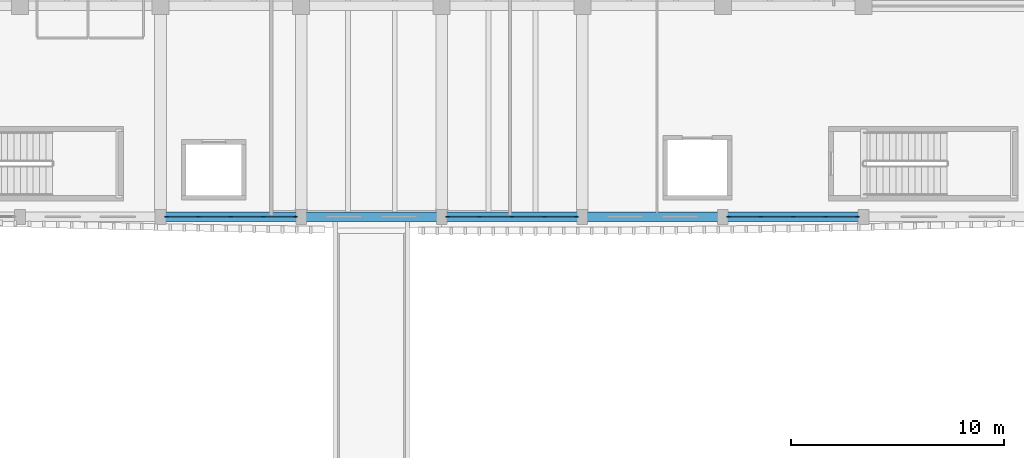
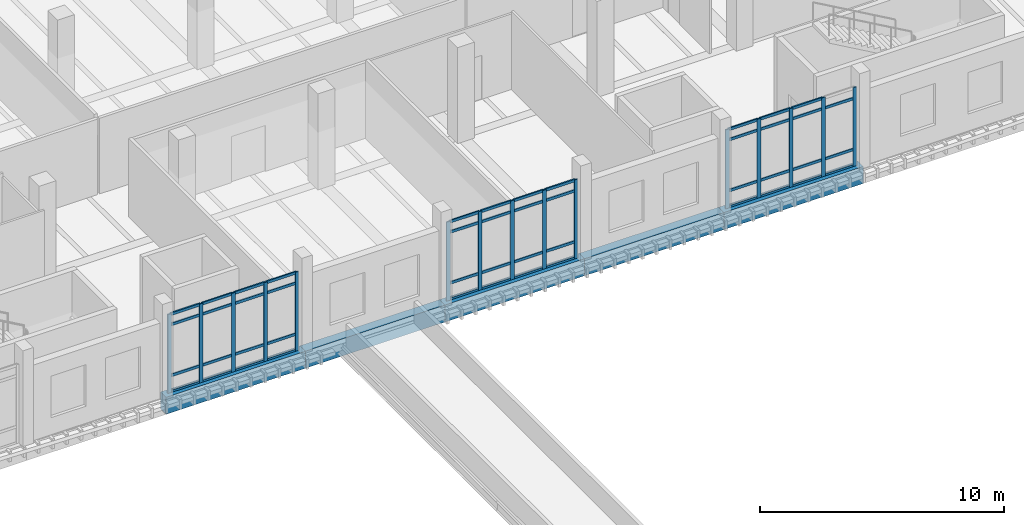
# One storey, part 41 of 101: 62 members, 5 beams, 3 elements without a shape of their own.
"""IFC4 building model written with IfcOpenShell, lengths in metres."""

from ifc_helpers import new_model, si_unit, direction, frame, origin, origin_2d, place, context, subcontext, project, spatial, rectangle, extrude, material, material_profile, profile_set, type_object, element, aggregate, save


model = new_model("IFC4")

# Units and contexts
model_context = context("Model", 3, precision=1e-05, world=origin(), true_north=direction((0.0, 1.0)))
body_context = subcontext(model_context, "Body", "Model", "MODEL_VIEW")
ifc_project = project(units=[si_unit("LENGTHUNIT", "METRE"), si_unit("AREAUNIT", "SQUARE_METRE"), si_unit("VOLUMEUNIT", "CUBIC_METRE"), si_unit("PLANEANGLEUNIT", "RADIAN"), si_unit("MASSUNIT", "GRAM", prefix="KILO")], contexts=[model_context])

# Site, building, storey
site_placement = place(None, origin())
site = spatial("IfcSite", under=ifc_project, at=site_placement, CompositionType="ELEMENT")
building_placement = place(site_placement, origin())
building = spatial("IfcBuilding", under=site, at=building_placement, Name="Dornvale Research Institute", CompositionType="ELEMENT")
storey_placement = place(building_placement, frame((0.0, 0.0, 10.199951171875)))
storey = spatial("IfcBuildingStorey", under=building, at=storey_placement, Name="L02", CompositionType="ELEMENT", Elevation=10.199951171875)

# Curtain wall, members
ifc_material_1 = material(Name="Low-E Argon Double Insulating Glazing Unit", Category="glass")
curtain_wall_type = type_object("IfcCurtainWallType", Name="UnitisedCurtainWall_V4_6100x3950", PredefinedType="USERDEFINED", material=ifc_material_1)
curtain_wall_1_placement = place(storey_placement, origin())
curtain_wall_1 = element("IfcCurtainWall", 1, at=curtain_wall_1_placement, inside=storey, type_object=curtain_wall_type, Name="L02 V4 unitised curtain wall CW-11 #87", ObjectType="UNITISED CURTAIN WALL", PredefinedType="USERDEFINED")
ifc_material_2 = material(Name="Anodized Aluminum AA 6063-T6 Thermally Broken Frame", Category="aluminium")
ifc_material_profile_1 = material_profile(ifc_material_2, rectangle(XDim=0.06494140625, YDim=0.179931640625, at=origin_2d()), Name="ALU MULLION 65x180")
ifc_profile_set_1 = profile_set([ifc_material_profile_1], Name="Anodized Aluminum AA 6063-T6 Thermally Broken Frame")
member_type_1 = type_object("IfcMemberType", Name="Mullion_CW_65x180", PredefinedType="MULLION", material=ifc_profile_set_1)
member_1_placement = place(storey_placement, frame((164.717529296875, 92.39990234375, 0.0), z_axis=(0.0, 0.0, 1.0), x_axis=(0.0, -1.0, 0.0)))
member_1 = element("IfcMember", 2, at=member_1_placement, type_object=member_type_1, Name="CW-11 mullion 1", PredefinedType="MULLION", context=body_context, shape_type="SweptSolid", body=[
    extrude(rectangle(XDim=0.06494140625, YDim=0.179931640625, at=origin_2d()), origin(), (0.0, 0.0, 1.0), 3.949951171875),
])
member_2_placement = place(storey_placement, frame((163.22509765625, 92.39990234375, 0.0), z_axis=(0.0, 0.0, 1.0), x_axis=(0.0, -1.0, 0.0)))
member_2 = element("IfcMember", 3, at=member_2_placement, type_object=member_type_1, Name="CW-11 mullion 2", PredefinedType="MULLION", context=body_context, shape_type="SweptSolid", body=[
    extrude(rectangle(XDim=0.06494140625, YDim=0.179931640625, at=origin_2d()), origin(), (0.0, 0.0, 1.0), 3.949951171875),
])
member_3_placement = place(storey_placement, frame((161.699951171875, 92.39990234375, 0.0), z_axis=(0.0, 0.0, 1.0), x_axis=(0.0, -1.0, 0.0)))
member_3 = element("IfcMember", 4, at=member_3_placement, type_object=member_type_1, Name="CW-11 mullion 3", PredefinedType="MULLION", context=body_context, shape_type="SweptSolid", body=[
    extrude(rectangle(XDim=0.06494140625, YDim=0.179931640625, at=origin_2d()), origin(), (0.0, 0.0, 1.0), 3.949951171875),
])
member_4_placement = place(storey_placement, frame((160.175048828125, 92.39990234375, 0.0), z_axis=(0.0, 0.0, 1.0), x_axis=(0.0, -1.0, 0.0)))
member_4 = element("IfcMember", 5, at=member_4_placement, type_object=member_type_1, Name="CW-11 mullion 4", PredefinedType="MULLION", context=body_context, shape_type="SweptSolid", body=[
    extrude(rectangle(XDim=0.06494140625, YDim=0.179931640625, at=origin_2d()), origin(), (0.0, 0.0, 1.0), 3.949951171875),
])
member_5_placement = place(storey_placement, frame((158.6826171875, 92.39990234375, 0.0), z_axis=(0.0, 0.0, 1.0), x_axis=(0.0, -1.0, 0.0)))
member_5 = element("IfcMember", 6, at=member_5_placement, type_object=member_type_1, Name="CW-11 mullion 5", PredefinedType="MULLION", context=body_context, shape_type="SweptSolid", body=[
    extrude(rectangle(XDim=0.06494140625, YDim=0.179931640625, at=origin_2d()), origin(), (0.0, 0.0, 1.0), 3.949951171875),
])

curtain_wall_2_placement = place(storey_placement, origin())
curtain_wall_2 = element("IfcCurtainWall", 7, at=curtain_wall_2_placement, inside=storey, type_object=curtain_wall_type, Name="L02 V4 unitised curtain wall CW-11 #88", ObjectType="UNITISED CURTAIN WALL", PredefinedType="USERDEFINED")
member_6_placement = place(storey_placement, frame((151.517578125, 92.39990234375, 0.0), z_axis=(0.0, 0.0, 1.0), x_axis=(0.0, -1.0, 0.0)))
member_6 = element("IfcMember", 8, at=member_6_placement, type_object=member_type_1, Name="CW-11 mullion 1", PredefinedType="MULLION", context=body_context, shape_type="SweptSolid", body=[
    extrude(rectangle(XDim=0.06494140625, YDim=0.179931640625, at=origin_2d()), origin(), (0.0, 0.0, 1.0), 3.949951171875),
])
member_7_placement = place(storey_placement, frame((150.02490234375, 92.39990234375, 0.0), z_axis=(0.0, 0.0, 1.0), x_axis=(0.0, -1.0, 0.0)))
member_7 = element("IfcMember", 9, at=member_7_placement, type_object=member_type_1, Name="CW-11 mullion 2", PredefinedType="MULLION", context=body_context, shape_type="SweptSolid", body=[
    extrude(rectangle(XDim=0.06494140625, YDim=0.179931640625, at=origin_2d()), origin(), (0.0, 0.0, 1.0), 3.949951171875),
])
member_8_placement = place(storey_placement, frame((148.5, 92.39990234375, 0.0), z_axis=(0.0, 0.0, 1.0), x_axis=(0.0, -1.0, 0.0)))
member_8 = element("IfcMember", 10, at=member_8_placement, type_object=member_type_1, Name="CW-11 mullion 3", PredefinedType="MULLION", context=body_context, shape_type="SweptSolid", body=[
    extrude(rectangle(XDim=0.06494140625, YDim=0.179931640625, at=origin_2d()), origin(), (0.0, 0.0, 1.0), 3.949951171875),
])
member_9_placement = place(storey_placement, frame((146.97509765625, 92.39990234375, 0.0), z_axis=(0.0, 0.0, 1.0), x_axis=(0.0, -1.0, 0.0)))
member_9 = element("IfcMember", 11, at=member_9_placement, type_object=member_type_1, Name="CW-11 mullion 4", PredefinedType="MULLION", context=body_context, shape_type="SweptSolid", body=[
    extrude(rectangle(XDim=0.06494140625, YDim=0.179931640625, at=origin_2d()), origin(), (0.0, 0.0, 1.0), 3.949951171875),
])
member_10_placement = place(storey_placement, frame((145.482421875, 92.39990234375, 0.0), z_axis=(0.0, 0.0, 1.0), x_axis=(0.0, -1.0, 0.0)))
member_10 = element("IfcMember", 12, at=member_10_placement, type_object=member_type_1, Name="CW-11 mullion 5", PredefinedType="MULLION", context=body_context, shape_type="SweptSolid", body=[
    extrude(rectangle(XDim=0.06494140625, YDim=0.179931640625, at=origin_2d()), origin(), (0.0, 0.0, 1.0), 3.949951171875),
])

curtain_wall_3_placement = place(storey_placement, origin())
curtain_wall_3 = element("IfcCurtainWall", 13, at=curtain_wall_3_placement, inside=storey, type_object=curtain_wall_type, Name="L02 V4 unitised curtain wall CW-11 #89", ObjectType="UNITISED CURTAIN WALL", PredefinedType="USERDEFINED")
member_11_placement = place(storey_placement, frame((138.3173828125, 92.39990234375, 0.0), z_axis=(0.0, 0.0, 1.0), x_axis=(0.0, -1.0, 0.0)))
member_11 = element("IfcMember", 14, at=member_11_placement, type_object=member_type_1, Name="CW-11 mullion 1", PredefinedType="MULLION", context=body_context, shape_type="SweptSolid", body=[
    extrude(rectangle(XDim=0.06494140625, YDim=0.179931640625, at=origin_2d()), origin(), (0.0, 0.0, 1.0), 3.949951171875),
])
member_12_placement = place(storey_placement, frame((136.824951171875, 92.39990234375, 0.0), z_axis=(0.0, 0.0, 1.0), x_axis=(0.0, -1.0, 0.0)))
member_12 = element("IfcMember", 15, at=member_12_placement, type_object=member_type_1, Name="CW-11 mullion 2", PredefinedType="MULLION", context=body_context, shape_type="SweptSolid", body=[
    extrude(rectangle(XDim=0.06494140625, YDim=0.179931640625, at=origin_2d()), origin(), (0.0, 0.0, 1.0), 3.949951171875),
])
member_13_placement = place(storey_placement, frame((135.300048828125, 92.39990234375, 0.0), z_axis=(0.0, 0.0, 1.0), x_axis=(0.0, -1.0, 0.0)))
member_13 = element("IfcMember", 16, at=member_13_placement, type_object=member_type_1, Name="CW-11 mullion 3", PredefinedType="MULLION", context=body_context, shape_type="SweptSolid", body=[
    extrude(rectangle(XDim=0.06494140625, YDim=0.179931640625, at=origin_2d()), origin(), (0.0, 0.0, 1.0), 3.949951171875),
])
member_14_placement = place(storey_placement, frame((133.77490234375, 92.39990234375, 0.0), z_axis=(0.0, 0.0, 1.0), x_axis=(0.0, -1.0, 0.0)))
member_14 = element("IfcMember", 17, at=member_14_placement, type_object=member_type_1, Name="CW-11 mullion 4", PredefinedType="MULLION", context=body_context, shape_type="SweptSolid", body=[
    extrude(rectangle(XDim=0.06494140625, YDim=0.179931640625, at=origin_2d()), origin(), (0.0, 0.0, 1.0), 3.949951171875),
])
member_15_placement = place(storey_placement, frame((132.282470703125, 92.39990234375, 0.0), z_axis=(0.0, 0.0, 1.0), x_axis=(0.0, -1.0, 0.0)))
member_15 = element("IfcMember", 18, at=member_15_placement, type_object=member_type_1, Name="CW-11 mullion 5", PredefinedType="MULLION", context=body_context, shape_type="SweptSolid", body=[
    extrude(rectangle(XDim=0.06494140625, YDim=0.179931640625, at=origin_2d()), origin(), (0.0, 0.0, 1.0), 3.949951171875),
])

# Beams
ifc_material_3 = material(Name="Concrete f'c 45 MPa (C35/45)", Category="concrete")
ifc_material_profile_2 = material_profile(ifc_material_3, rectangle(XDim=0.449951171875, YDim=0.85009765625, at=origin_2d()), Name="RC 450x850")
ifc_profile_set_2 = profile_set([ifc_material_profile_2], Name="Concrete f'c 45 MPa (C35/45)")
beam_type = type_object("IfcBeamType", Name="Spandrel_RC450x850_Ext", PredefinedType="SPANDREL", material=ifc_profile_set_2)
beam_1_placement = place(storey_placement, frame((132.0, 92.39990234375, -0.425048828125), z_axis=(1.0, 0.0, 0.0), x_axis=(0.0, 1.0, 0.0)))
element("IfcBeam", 19, at=beam_1_placement, inside=storey, type_object=beam_type, Name="L02 perimeter spandrel #637", PredefinedType="SPANDREL", context=body_context, shape_type="SweptSolid", body=[
    extrude(rectangle(XDim=0.449951171875, YDim=0.85009765625, at=origin_2d()), origin(), (0.0, 0.0, 1.0), 6.60009765625),
])
beam_2_placement = place(storey_placement, frame((138.60009765625, 92.39990234375, -0.425048828125), z_axis=(1.0, 0.0, 0.0), x_axis=(0.0, 1.0, 0.0)))
element("IfcBeam", 20, at=beam_2_placement, inside=storey, type_object=beam_type, Name="L02 perimeter spandrel #638", PredefinedType="SPANDREL", context=body_context, shape_type="SweptSolid", body=[
    extrude(rectangle(XDim=0.449951171875, YDim=0.85009765625, at=origin_2d()), origin(), (0.0, 0.0, 1.0), 6.599853515625),
])
beam_3_placement = place(storey_placement, frame((145.199951171875, 92.39990234375, -0.425048828125), z_axis=(1.0, 0.0, 0.0), x_axis=(0.0, 1.0, 0.0)))
element("IfcBeam", 21, at=beam_3_placement, inside=storey, type_object=beam_type, Name="L02 perimeter spandrel #639", PredefinedType="SPANDREL", context=body_context, shape_type="SweptSolid", body=[
    extrude(rectangle(XDim=0.449951171875, YDim=0.85009765625, at=origin_2d()), origin(), (0.0, 0.0, 1.0), 6.60009765625),
])
beam_4_placement = place(storey_placement, frame((151.800048828125, 92.39990234375, -0.425048828125), z_axis=(1.0, 0.0, 0.0), x_axis=(0.0, 1.0, 0.0)))
element("IfcBeam", 22, at=beam_4_placement, inside=storey, type_object=beam_type, Name="L02 perimeter spandrel #640", PredefinedType="SPANDREL", context=body_context, shape_type="SweptSolid", body=[
    extrude(rectangle(XDim=0.449951171875, YDim=0.85009765625, at=origin_2d()), origin(), (0.0, 0.0, 1.0), 6.599853515625),
])
beam_5_placement = place(storey_placement, frame((158.39990234375, 92.39990234375, -0.425048828125), z_axis=(1.0, 0.0, 0.0), x_axis=(0.0, 1.0, 0.0)))
element("IfcBeam", 23, at=beam_5_placement, inside=storey, type_object=beam_type, Name="L02 perimeter spandrel #641", PredefinedType="SPANDREL", context=body_context, shape_type="SweptSolid", body=[
    extrude(rectangle(XDim=0.449951171875, YDim=0.85009765625, at=origin_2d()), origin(), (0.0, 0.0, 1.0), 6.60009765625),
])

# Member
ifc_material_4 = material(Name="Anodized Aluminum AA 6063-T6 Thermally Broken Frame", Category="aluminium")
ifc_material_profile_3 = material_profile(ifc_material_4, rectangle(XDim=0.06494140625, YDim=0.135009765625, at=origin_2d()), Name="ALU TRANSOM 65x135")
ifc_profile_set_3 = profile_set([ifc_material_profile_3], Name="Anodized Aluminum AA 6063-T6 Thermally Broken Frame")
member_type_2 = type_object("IfcMemberType", Name="Transom_CW_65x135", PredefinedType="USERDEFINED", material=ifc_profile_set_3)
member_16_placement = place(storey_placement, frame((164.68505859375, 92.39990234375, 0.032470703125), z_axis=(-1.0, 0.0, 0.0), x_axis=(0.0, -1.0, 0.0)))
member_16 = element("IfcMember", 24, at=member_16_placement, type_object=member_type_2, Name="CW-11 transom 1.1", ObjectType="TRANSOM", PredefinedType="USERDEFINED", context=body_context, shape_type="SweptSolid", body=[
    extrude(rectangle(XDim=0.06494140625, YDim=0.135009765625, at=origin_2d()), origin(), (0.0, 0.0, 1.0), 1.427490234375),
])

member_17_placement = place(storey_placement, frame((164.68505859375, 92.39990234375, 0.85009765625), z_axis=(-1.0, 0.0, 0.0), x_axis=(0.0, -1.0, 0.0)))
member_17 = element("IfcMember", 25, at=member_17_placement, type_object=member_type_2, Name="CW-11 transom 1.2", ObjectType="TRANSOM", PredefinedType="USERDEFINED", context=body_context, shape_type="SweptSolid", body=[
    extrude(rectangle(XDim=0.06494140625, YDim=0.135009765625, at=origin_2d()), origin(), (0.0, 0.0, 1.0), 1.427490234375),
])

member_18_placement = place(storey_placement, frame((164.68505859375, 92.39990234375, 3.400146484375), z_axis=(-1.0, 0.0, 0.0), x_axis=(0.0, -1.0, 0.0)))
member_18 = element("IfcMember", 26, at=member_18_placement, type_object=member_type_2, Name="CW-11 transom 1.3", ObjectType="TRANSOM", PredefinedType="USERDEFINED", context=body_context, shape_type="SweptSolid", body=[
    extrude(rectangle(XDim=0.06494140625, YDim=0.135009765625, at=origin_2d()), origin(), (0.0, 0.0, 1.0), 1.427490234375),
])

member_19_placement = place(storey_placement, frame((163.1923828125, 92.39990234375, 0.032470703125), z_axis=(-1.0, 0.0, 0.0), x_axis=(0.0, -1.0, 0.0)))
member_19 = element("IfcMember", 27, at=member_19_placement, type_object=member_type_2, Name="CW-11 transom 2.1", ObjectType="TRANSOM", PredefinedType="USERDEFINED", context=body_context, shape_type="SweptSolid", body=[
    extrude(rectangle(XDim=0.06494140625, YDim=0.135009765625, at=origin_2d()), origin(), (0.0, 0.0, 1.0), 1.4599609375),
])

member_20_placement = place(storey_placement, frame((163.1923828125, 92.39990234375, 0.85009765625), z_axis=(-1.0, 0.0, 0.0), x_axis=(0.0, -1.0, 0.0)))
member_20 = element("IfcMember", 28, at=member_20_placement, type_object=member_type_2, Name="CW-11 transom 2.2", ObjectType="TRANSOM", PredefinedType="USERDEFINED", context=body_context, shape_type="SweptSolid", body=[
    extrude(rectangle(XDim=0.06494140625, YDim=0.135009765625, at=origin_2d()), origin(), (0.0, 0.0, 1.0), 1.4599609375),
])

member_21_placement = place(storey_placement, frame((163.1923828125, 92.39990234375, 3.400146484375), z_axis=(-1.0, 0.0, 0.0), x_axis=(0.0, -1.0, 0.0)))
member_21 = element("IfcMember", 29, at=member_21_placement, type_object=member_type_2, Name="CW-11 transom 2.3", ObjectType="TRANSOM", PredefinedType="USERDEFINED", context=body_context, shape_type="SweptSolid", body=[
    extrude(rectangle(XDim=0.06494140625, YDim=0.135009765625, at=origin_2d()), origin(), (0.0, 0.0, 1.0), 1.4599609375),
])

member_22_placement = place(storey_placement, frame((163.1923828125, 92.39990234375, 3.91748046875), z_axis=(-1.0, 0.0, 0.0), x_axis=(0.0, -1.0, 0.0)))
member_22 = element("IfcMember", 30, at=member_22_placement, type_object=member_type_2, Name="CW-11 transom 2.4", ObjectType="TRANSOM", PredefinedType="USERDEFINED", context=body_context, shape_type="SweptSolid", body=[
    extrude(rectangle(XDim=0.06494140625, YDim=0.135009765625, at=origin_2d()), origin(), (0.0, 0.0, 1.0), 1.4599609375),
])

member_23_placement = place(storey_placement, frame((161.66748046875, 92.39990234375, 0.032470703125), z_axis=(-1.0, 0.0, 0.0), x_axis=(0.0, -1.0, 0.0)))
member_23 = element("IfcMember", 31, at=member_23_placement, type_object=member_type_2, Name="CW-11 transom 3.1", ObjectType="TRANSOM", PredefinedType="USERDEFINED", context=body_context, shape_type="SweptSolid", body=[
    extrude(rectangle(XDim=0.06494140625, YDim=0.135009765625, at=origin_2d()), origin(), (0.0, 0.0, 1.0), 1.4599609375),
])

member_24_placement = place(storey_placement, frame((161.66748046875, 92.39990234375, 0.85009765625), z_axis=(-1.0, 0.0, 0.0), x_axis=(0.0, -1.0, 0.0)))
member_24 = element("IfcMember", 32, at=member_24_placement, type_object=member_type_2, Name="CW-11 transom 3.2", ObjectType="TRANSOM", PredefinedType="USERDEFINED", context=body_context, shape_type="SweptSolid", body=[
    extrude(rectangle(XDim=0.06494140625, YDim=0.135009765625, at=origin_2d()), origin(), (0.0, 0.0, 1.0), 1.4599609375),
])

member_25_placement = place(storey_placement, frame((161.66748046875, 92.39990234375, 3.400146484375), z_axis=(-1.0, 0.0, 0.0), x_axis=(0.0, -1.0, 0.0)))
member_25 = element("IfcMember", 33, at=member_25_placement, type_object=member_type_2, Name="CW-11 transom 3.3", ObjectType="TRANSOM", PredefinedType="USERDEFINED", context=body_context, shape_type="SweptSolid", body=[
    extrude(rectangle(XDim=0.06494140625, YDim=0.135009765625, at=origin_2d()), origin(), (0.0, 0.0, 1.0), 1.4599609375),
])

member_26_placement = place(storey_placement, frame((161.66748046875, 92.39990234375, 3.91748046875), z_axis=(-1.0, 0.0, 0.0), x_axis=(0.0, -1.0, 0.0)))
member_26 = element("IfcMember", 34, at=member_26_placement, type_object=member_type_2, Name="CW-11 transom 3.4", ObjectType="TRANSOM", PredefinedType="USERDEFINED", context=body_context, shape_type="SweptSolid", body=[
    extrude(rectangle(XDim=0.06494140625, YDim=0.135009765625, at=origin_2d()), origin(), (0.0, 0.0, 1.0), 1.4599609375),
])

member_27_placement = place(storey_placement, frame((160.142578125, 92.39990234375, 0.032470703125), z_axis=(-1.0, 0.0, 0.0), x_axis=(0.0, -1.0, 0.0)))
member_27 = element("IfcMember", 35, at=member_27_placement, type_object=member_type_2, Name="CW-11 transom 4.1", ObjectType="TRANSOM", PredefinedType="USERDEFINED", context=body_context, shape_type="SweptSolid", body=[
    extrude(rectangle(XDim=0.06494140625, YDim=0.135009765625, at=origin_2d()), origin(), (0.0, 0.0, 1.0), 1.427490234375),
])

member_28_placement = place(storey_placement, frame((160.142578125, 92.39990234375, 0.85009765625), z_axis=(-1.0, 0.0, 0.0), x_axis=(0.0, -1.0, 0.0)))
member_28 = element("IfcMember", 36, at=member_28_placement, type_object=member_type_2, Name="CW-11 transom 4.2", ObjectType="TRANSOM", PredefinedType="USERDEFINED", context=body_context, shape_type="SweptSolid", body=[
    extrude(rectangle(XDim=0.06494140625, YDim=0.135009765625, at=origin_2d()), origin(), (0.0, 0.0, 1.0), 1.427490234375),
])

member_29_placement = place(storey_placement, frame((160.142578125, 92.39990234375, 3.400146484375), z_axis=(-1.0, 0.0, 0.0), x_axis=(0.0, -1.0, 0.0)))
member_29 = element("IfcMember", 37, at=member_29_placement, type_object=member_type_2, Name="CW-11 transom 4.3", ObjectType="TRANSOM", PredefinedType="USERDEFINED", context=body_context, shape_type="SweptSolid", body=[
    extrude(rectangle(XDim=0.06494140625, YDim=0.135009765625, at=origin_2d()), origin(), (0.0, 0.0, 1.0), 1.427490234375),
])

member_30_placement = place(storey_placement, frame((160.142578125, 92.39990234375, 3.91748046875), z_axis=(-1.0, 0.0, 0.0), x_axis=(0.0, -1.0, 0.0)))
member_30 = element("IfcMember", 38, at=member_30_placement, type_object=member_type_2, Name="CW-11 transom 4.4", ObjectType="TRANSOM", PredefinedType="USERDEFINED", context=body_context, shape_type="SweptSolid", body=[
    extrude(rectangle(XDim=0.06494140625, YDim=0.135009765625, at=origin_2d()), origin(), (0.0, 0.0, 1.0), 1.427490234375),
])

aggregate(curtain_wall_1, [member_1, member_2, member_3, member_4, member_5, member_16, member_17, member_18, member_19, member_20, member_21, member_22, member_23, member_24, member_25, member_26, member_27, member_28, member_29, member_30])

member_31_placement = place(storey_placement, frame((151.485107421875, 92.39990234375, 0.032470703125), z_axis=(-1.0, 0.0, 0.0), x_axis=(0.0, -1.0, 0.0)))
member_31 = element("IfcMember", 39, at=member_31_placement, type_object=member_type_2, Name="CW-11 transom 1.1", ObjectType="TRANSOM", PredefinedType="USERDEFINED", context=body_context, shape_type="SweptSolid", body=[
    extrude(rectangle(XDim=0.06494140625, YDim=0.135009765625, at=origin_2d()), origin(), (0.0, 0.0, 1.0), 1.427490234375),
])

member_32_placement = place(storey_placement, frame((151.485107421875, 92.39990234375, 0.85009765625), z_axis=(-1.0, 0.0, 0.0), x_axis=(0.0, -1.0, 0.0)))
member_32 = element("IfcMember", 40, at=member_32_placement, type_object=member_type_2, Name="CW-11 transom 1.2", ObjectType="TRANSOM", PredefinedType="USERDEFINED", context=body_context, shape_type="SweptSolid", body=[
    extrude(rectangle(XDim=0.06494140625, YDim=0.135009765625, at=origin_2d()), origin(), (0.0, 0.0, 1.0), 1.427490234375),
])

member_33_placement = place(storey_placement, frame((151.485107421875, 92.39990234375, 3.400146484375), z_axis=(-1.0, 0.0, 0.0), x_axis=(0.0, -1.0, 0.0)))
member_33 = element("IfcMember", 41, at=member_33_placement, type_object=member_type_2, Name="CW-11 transom 1.3", ObjectType="TRANSOM", PredefinedType="USERDEFINED", context=body_context, shape_type="SweptSolid", body=[
    extrude(rectangle(XDim=0.06494140625, YDim=0.135009765625, at=origin_2d()), origin(), (0.0, 0.0, 1.0), 1.427490234375),
])

member_34_placement = place(storey_placement, frame((151.485107421875, 92.39990234375, 3.91748046875), z_axis=(-1.0, 0.0, 0.0), x_axis=(0.0, -1.0, 0.0)))
member_34 = element("IfcMember", 42, at=member_34_placement, type_object=member_type_2, Name="CW-11 transom 1.4", ObjectType="TRANSOM", PredefinedType="USERDEFINED", context=body_context, shape_type="SweptSolid", body=[
    extrude(rectangle(XDim=0.06494140625, YDim=0.135009765625, at=origin_2d()), origin(), (0.0, 0.0, 1.0), 1.427490234375),
])

member_35_placement = place(storey_placement, frame((149.992431640625, 92.39990234375, 0.032470703125), z_axis=(-1.0, 0.0, 0.0), x_axis=(0.0, -1.0, 0.0)))
member_35 = element("IfcMember", 43, at=member_35_placement, type_object=member_type_2, Name="CW-11 transom 2.1", ObjectType="TRANSOM", PredefinedType="USERDEFINED", context=body_context, shape_type="SweptSolid", body=[
    extrude(rectangle(XDim=0.06494140625, YDim=0.135009765625, at=origin_2d()), origin(), (0.0, 0.0, 1.0), 1.4599609375),
])

member_36_placement = place(storey_placement, frame((149.992431640625, 92.39990234375, 0.85009765625), z_axis=(-1.0, 0.0, 0.0), x_axis=(0.0, -1.0, 0.0)))
member_36 = element("IfcMember", 44, at=member_36_placement, type_object=member_type_2, Name="CW-11 transom 2.2", ObjectType="TRANSOM", PredefinedType="USERDEFINED", context=body_context, shape_type="SweptSolid", body=[
    extrude(rectangle(XDim=0.06494140625, YDim=0.135009765625, at=origin_2d()), origin(), (0.0, 0.0, 1.0), 1.4599609375),
])

member_37_placement = place(storey_placement, frame((149.992431640625, 92.39990234375, 3.400146484375), z_axis=(-1.0, 0.0, 0.0), x_axis=(0.0, -1.0, 0.0)))
member_37 = element("IfcMember", 45, at=member_37_placement, type_object=member_type_2, Name="CW-11 transom 2.3", ObjectType="TRANSOM", PredefinedType="USERDEFINED", context=body_context, shape_type="SweptSolid", body=[
    extrude(rectangle(XDim=0.06494140625, YDim=0.135009765625, at=origin_2d()), origin(), (0.0, 0.0, 1.0), 1.4599609375),
])

member_38_placement = place(storey_placement, frame((149.992431640625, 92.39990234375, 3.91748046875), z_axis=(-1.0, 0.0, 0.0), x_axis=(0.0, -1.0, 0.0)))
member_38 = element("IfcMember", 46, at=member_38_placement, type_object=member_type_2, Name="CW-11 transom 2.4", ObjectType="TRANSOM", PredefinedType="USERDEFINED", context=body_context, shape_type="SweptSolid", body=[
    extrude(rectangle(XDim=0.06494140625, YDim=0.135009765625, at=origin_2d()), origin(), (0.0, 0.0, 1.0), 1.4599609375),
])

member_39_placement = place(storey_placement, frame((148.467529296875, 92.39990234375, 0.032470703125), z_axis=(-1.0, 0.0, 0.0), x_axis=(0.0, -1.0, 0.0)))
member_39 = element("IfcMember", 47, at=member_39_placement, type_object=member_type_2, Name="CW-11 transom 3.1", ObjectType="TRANSOM", PredefinedType="USERDEFINED", context=body_context, shape_type="SweptSolid", body=[
    extrude(rectangle(XDim=0.06494140625, YDim=0.135009765625, at=origin_2d()), origin(), (0.0, 0.0, 1.0), 1.4599609375),
])

member_40_placement = place(storey_placement, frame((148.467529296875, 92.39990234375, 0.85009765625), z_axis=(-1.0, 0.0, 0.0), x_axis=(0.0, -1.0, 0.0)))
member_40 = element("IfcMember", 48, at=member_40_placement, type_object=member_type_2, Name="CW-11 transom 3.2", ObjectType="TRANSOM", PredefinedType="USERDEFINED", context=body_context, shape_type="SweptSolid", body=[
    extrude(rectangle(XDim=0.06494140625, YDim=0.135009765625, at=origin_2d()), origin(), (0.0, 0.0, 1.0), 1.4599609375),
])

member_41_placement = place(storey_placement, frame((148.467529296875, 92.39990234375, 3.400146484375), z_axis=(-1.0, 0.0, 0.0), x_axis=(0.0, -1.0, 0.0)))
member_41 = element("IfcMember", 49, at=member_41_placement, type_object=member_type_2, Name="CW-11 transom 3.3", ObjectType="TRANSOM", PredefinedType="USERDEFINED", context=body_context, shape_type="SweptSolid", body=[
    extrude(rectangle(XDim=0.06494140625, YDim=0.135009765625, at=origin_2d()), origin(), (0.0, 0.0, 1.0), 1.4599609375),
])

member_42_placement = place(storey_placement, frame((148.467529296875, 92.39990234375, 3.91748046875), z_axis=(-1.0, 0.0, 0.0), x_axis=(0.0, -1.0, 0.0)))
member_42 = element("IfcMember", 50, at=member_42_placement, type_object=member_type_2, Name="CW-11 transom 3.4", ObjectType="TRANSOM", PredefinedType="USERDEFINED", context=body_context, shape_type="SweptSolid", body=[
    extrude(rectangle(XDim=0.06494140625, YDim=0.135009765625, at=origin_2d()), origin(), (0.0, 0.0, 1.0), 1.4599609375),
])

member_43_placement = place(storey_placement, frame((146.9423828125, 92.39990234375, 0.032470703125), z_axis=(-1.0, 0.0, 0.0), x_axis=(0.0, -1.0, 0.0)))
member_43 = element("IfcMember", 51, at=member_43_placement, type_object=member_type_2, Name="CW-11 transom 4.1", ObjectType="TRANSOM", PredefinedType="USERDEFINED", context=body_context, shape_type="SweptSolid", body=[
    extrude(rectangle(XDim=0.06494140625, YDim=0.135009765625, at=origin_2d()), origin(), (0.0, 0.0, 1.0), 1.427490234375),
])

member_44_placement = place(storey_placement, frame((146.9423828125, 92.39990234375, 0.85009765625), z_axis=(-1.0, 0.0, 0.0), x_axis=(0.0, -1.0, 0.0)))
member_44 = element("IfcMember", 52, at=member_44_placement, type_object=member_type_2, Name="CW-11 transom 4.2", ObjectType="TRANSOM", PredefinedType="USERDEFINED", context=body_context, shape_type="SweptSolid", body=[
    extrude(rectangle(XDim=0.06494140625, YDim=0.135009765625, at=origin_2d()), origin(), (0.0, 0.0, 1.0), 1.427490234375),
])

member_45_placement = place(storey_placement, frame((146.9423828125, 92.39990234375, 3.400146484375), z_axis=(-1.0, 0.0, 0.0), x_axis=(0.0, -1.0, 0.0)))
member_45 = element("IfcMember", 53, at=member_45_placement, type_object=member_type_2, Name="CW-11 transom 4.3", ObjectType="TRANSOM", PredefinedType="USERDEFINED", context=body_context, shape_type="SweptSolid", body=[
    extrude(rectangle(XDim=0.06494140625, YDim=0.135009765625, at=origin_2d()), origin(), (0.0, 0.0, 1.0), 1.427490234375),
])

member_46_placement = place(storey_placement, frame((146.9423828125, 92.39990234375, 3.91748046875), z_axis=(-1.0, 0.0, 0.0), x_axis=(0.0, -1.0, 0.0)))
member_46 = element("IfcMember", 54, at=member_46_placement, type_object=member_type_2, Name="CW-11 transom 4.4", ObjectType="TRANSOM", PredefinedType="USERDEFINED", context=body_context, shape_type="SweptSolid", body=[
    extrude(rectangle(XDim=0.06494140625, YDim=0.135009765625, at=origin_2d()), origin(), (0.0, 0.0, 1.0), 1.427490234375),
])

aggregate(curtain_wall_2, [member_6, member_7, member_8, member_9, member_10, member_31, member_32, member_33, member_34, member_35, member_36, member_37, member_38, member_39, member_40, member_41, member_42, member_43, member_44, member_45, member_46])

member_47_placement = place(storey_placement, frame((138.284912109375, 92.39990234375, 0.032470703125), z_axis=(-1.0, 0.0, 0.0), x_axis=(0.0, -1.0, 0.0)))
member_47 = element("IfcMember", 55, at=member_47_placement, type_object=member_type_2, Name="CW-11 transom 1.1", ObjectType="TRANSOM", PredefinedType="USERDEFINED", context=body_context, shape_type="SweptSolid", body=[
    extrude(rectangle(XDim=0.06494140625, YDim=0.135009765625, at=origin_2d()), origin(), (0.0, 0.0, 1.0), 1.427490234375),
])

member_48_placement = place(storey_placement, frame((138.284912109375, 92.39990234375, 0.85009765625), z_axis=(-1.0, 0.0, 0.0), x_axis=(0.0, -1.0, 0.0)))
member_48 = element("IfcMember", 56, at=member_48_placement, type_object=member_type_2, Name="CW-11 transom 1.2", ObjectType="TRANSOM", PredefinedType="USERDEFINED", context=body_context, shape_type="SweptSolid", body=[
    extrude(rectangle(XDim=0.06494140625, YDim=0.135009765625, at=origin_2d()), origin(), (0.0, 0.0, 1.0), 1.427490234375),
])

member_49_placement = place(storey_placement, frame((138.284912109375, 92.39990234375, 3.400146484375), z_axis=(-1.0, 0.0, 0.0), x_axis=(0.0, -1.0, 0.0)))
member_49 = element("IfcMember", 57, at=member_49_placement, type_object=member_type_2, Name="CW-11 transom 1.3", ObjectType="TRANSOM", PredefinedType="USERDEFINED", context=body_context, shape_type="SweptSolid", body=[
    extrude(rectangle(XDim=0.06494140625, YDim=0.135009765625, at=origin_2d()), origin(), (0.0, 0.0, 1.0), 1.427490234375),
])

member_50_placement = place(storey_placement, frame((138.284912109375, 92.39990234375, 3.91748046875), z_axis=(-1.0, 0.0, 0.0), x_axis=(0.0, -1.0, 0.0)))
member_50 = element("IfcMember", 58, at=member_50_placement, type_object=member_type_2, Name="CW-11 transom 1.4", ObjectType="TRANSOM", PredefinedType="USERDEFINED", context=body_context, shape_type="SweptSolid", body=[
    extrude(rectangle(XDim=0.06494140625, YDim=0.135009765625, at=origin_2d()), origin(), (0.0, 0.0, 1.0), 1.427490234375),
])

member_51_placement = place(storey_placement, frame((136.79248046875, 92.39990234375, 0.032470703125), z_axis=(-1.0, 0.0, 0.0), x_axis=(0.0, -1.0, 0.0)))
member_51 = element("IfcMember", 59, at=member_51_placement, type_object=member_type_2, Name="CW-11 transom 2.1", ObjectType="TRANSOM", PredefinedType="USERDEFINED", context=body_context, shape_type="SweptSolid", body=[
    extrude(rectangle(XDim=0.06494140625, YDim=0.135009765625, at=origin_2d()), origin(), (0.0, 0.0, 1.0), 1.4599609375),
])

member_52_placement = place(storey_placement, frame((136.79248046875, 92.39990234375, 0.85009765625), z_axis=(-1.0, 0.0, 0.0), x_axis=(0.0, -1.0, 0.0)))
member_52 = element("IfcMember", 60, at=member_52_placement, type_object=member_type_2, Name="CW-11 transom 2.2", ObjectType="TRANSOM", PredefinedType="USERDEFINED", context=body_context, shape_type="SweptSolid", body=[
    extrude(rectangle(XDim=0.06494140625, YDim=0.135009765625, at=origin_2d()), origin(), (0.0, 0.0, 1.0), 1.4599609375),
])

member_53_placement = place(storey_placement, frame((136.79248046875, 92.39990234375, 3.400146484375), z_axis=(-1.0, 0.0, 0.0), x_axis=(0.0, -1.0, 0.0)))
member_53 = element("IfcMember", 61, at=member_53_placement, type_object=member_type_2, Name="CW-11 transom 2.3", ObjectType="TRANSOM", PredefinedType="USERDEFINED", context=body_context, shape_type="SweptSolid", body=[
    extrude(rectangle(XDim=0.06494140625, YDim=0.135009765625, at=origin_2d()), origin(), (0.0, 0.0, 1.0), 1.4599609375),
])

member_54_placement = place(storey_placement, frame((136.79248046875, 92.39990234375, 3.91748046875), z_axis=(-1.0, 0.0, 0.0), x_axis=(0.0, -1.0, 0.0)))
member_54 = element("IfcMember", 62, at=member_54_placement, type_object=member_type_2, Name="CW-11 transom 2.4", ObjectType="TRANSOM", PredefinedType="USERDEFINED", context=body_context, shape_type="SweptSolid", body=[
    extrude(rectangle(XDim=0.06494140625, YDim=0.135009765625, at=origin_2d()), origin(), (0.0, 0.0, 1.0), 1.4599609375),
])

member_55_placement = place(storey_placement, frame((135.267578125, 92.39990234375, 0.032470703125), z_axis=(-1.0, 0.0, 0.0), x_axis=(0.0, -1.0, 0.0)))
member_55 = element("IfcMember", 63, at=member_55_placement, type_object=member_type_2, Name="CW-11 transom 3.1", ObjectType="TRANSOM", PredefinedType="USERDEFINED", context=body_context, shape_type="SweptSolid", body=[
    extrude(rectangle(XDim=0.06494140625, YDim=0.135009765625, at=origin_2d()), origin(), (0.0, 0.0, 1.0), 1.4599609375),
])

member_56_placement = place(storey_placement, frame((135.267578125, 92.39990234375, 0.85009765625), z_axis=(-1.0, 0.0, 0.0), x_axis=(0.0, -1.0, 0.0)))
member_56 = element("IfcMember", 64, at=member_56_placement, type_object=member_type_2, Name="CW-11 transom 3.2", ObjectType="TRANSOM", PredefinedType="USERDEFINED", context=body_context, shape_type="SweptSolid", body=[
    extrude(rectangle(XDim=0.06494140625, YDim=0.135009765625, at=origin_2d()), origin(), (0.0, 0.0, 1.0), 1.4599609375),
])

member_57_placement = place(storey_placement, frame((135.267578125, 92.39990234375, 3.400146484375), z_axis=(-1.0, 0.0, 0.0), x_axis=(0.0, -1.0, 0.0)))
member_57 = element("IfcMember", 65, at=member_57_placement, type_object=member_type_2, Name="CW-11 transom 3.3", ObjectType="TRANSOM", PredefinedType="USERDEFINED", context=body_context, shape_type="SweptSolid", body=[
    extrude(rectangle(XDim=0.06494140625, YDim=0.135009765625, at=origin_2d()), origin(), (0.0, 0.0, 1.0), 1.4599609375),
])

member_58_placement = place(storey_placement, frame((135.267578125, 92.39990234375, 3.91748046875), z_axis=(-1.0, 0.0, 0.0), x_axis=(0.0, -1.0, 0.0)))
member_58 = element("IfcMember", 66, at=member_58_placement, type_object=member_type_2, Name="CW-11 transom 3.4", ObjectType="TRANSOM", PredefinedType="USERDEFINED", context=body_context, shape_type="SweptSolid", body=[
    extrude(rectangle(XDim=0.06494140625, YDim=0.135009765625, at=origin_2d()), origin(), (0.0, 0.0, 1.0), 1.4599609375),
])

member_59_placement = place(storey_placement, frame((133.742431640625, 92.39990234375, 0.032470703125), z_axis=(-1.0, 0.0, 0.0), x_axis=(0.0, -1.0, 0.0)))
member_59 = element("IfcMember", 67, at=member_59_placement, type_object=member_type_2, Name="CW-11 transom 4.1", ObjectType="TRANSOM", PredefinedType="USERDEFINED", context=body_context, shape_type="SweptSolid", body=[
    extrude(rectangle(XDim=0.06494140625, YDim=0.135009765625, at=origin_2d()), origin(), (0.0, 0.0, 1.0), 1.427490234375),
])

member_60_placement = place(storey_placement, frame((133.742431640625, 92.39990234375, 0.85009765625), z_axis=(-1.0, 0.0, 0.0), x_axis=(0.0, -1.0, 0.0)))
member_60 = element("IfcMember", 68, at=member_60_placement, type_object=member_type_2, Name="CW-11 transom 4.2", ObjectType="TRANSOM", PredefinedType="USERDEFINED", context=body_context, shape_type="SweptSolid", body=[
    extrude(rectangle(XDim=0.06494140625, YDim=0.135009765625, at=origin_2d()), origin(), (0.0, 0.0, 1.0), 1.427490234375),
])

member_61_placement = place(storey_placement, frame((133.742431640625, 92.39990234375, 3.400146484375), z_axis=(-1.0, 0.0, 0.0), x_axis=(0.0, -1.0, 0.0)))
member_61 = element("IfcMember", 69, at=member_61_placement, type_object=member_type_2, Name="CW-11 transom 4.3", ObjectType="TRANSOM", PredefinedType="USERDEFINED", context=body_context, shape_type="SweptSolid", body=[
    extrude(rectangle(XDim=0.06494140625, YDim=0.135009765625, at=origin_2d()), origin(), (0.0, 0.0, 1.0), 1.427490234375),
])

member_62_placement = place(storey_placement, frame((133.742431640625, 92.39990234375, 3.91748046875), z_axis=(-1.0, 0.0, 0.0), x_axis=(0.0, -1.0, 0.0)))
member_62 = element("IfcMember", 70, at=member_62_placement, type_object=member_type_2, Name="CW-11 transom 4.4", ObjectType="TRANSOM", PredefinedType="USERDEFINED", context=body_context, shape_type="SweptSolid", body=[
    extrude(rectangle(XDim=0.06494140625, YDim=0.135009765625, at=origin_2d()), origin(), (0.0, 0.0, 1.0), 1.427490234375),
])

aggregate(curtain_wall_3, [member_11, member_12, member_13, member_14, member_15, member_47, member_48, member_49, member_50, member_51, member_52, member_53, member_54, member_55, member_56, member_57, member_58, member_59, member_60, member_61, member_62])

save(model, "model.ifc")
